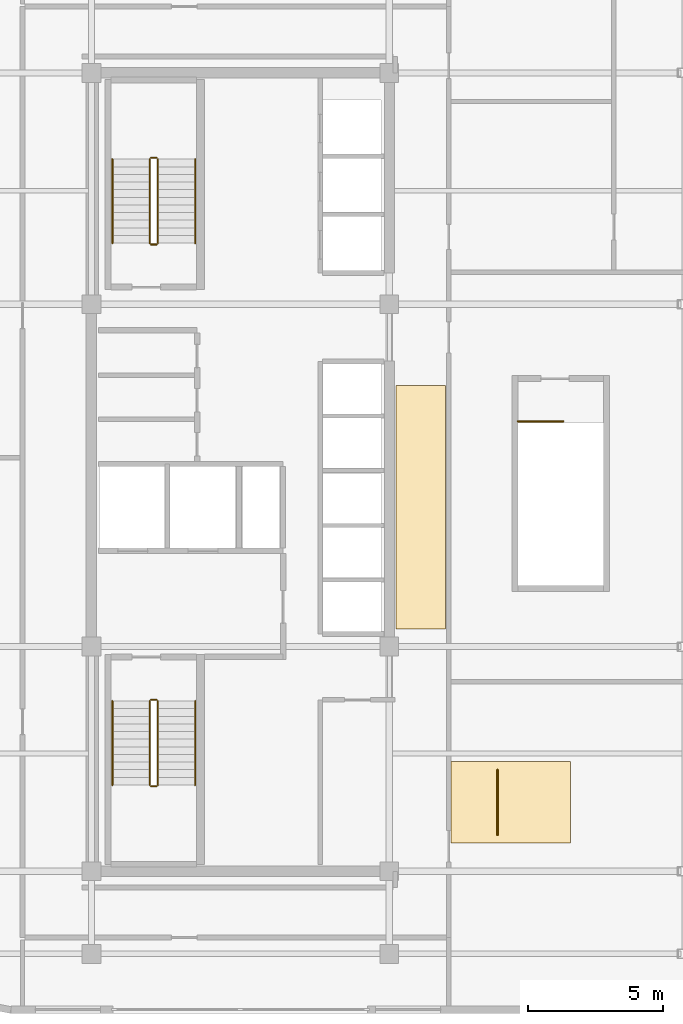
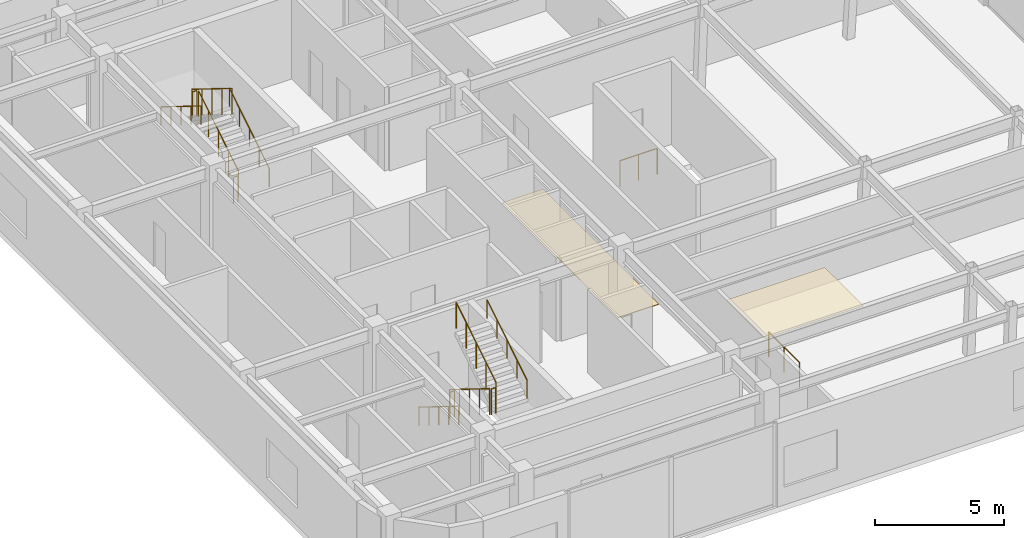
# One storey, part 10 of 10: 14 railings, 2 coverings.
"""IFC4 building model written with IfcOpenShell, lengths in metres."""

from ifc_helpers import new_model, si_unit, direction, frame, origin, origin_2d, place, context, subcontext, project, spatial, polyline, circle, outline, extrude, material, layer, layer_set, type_object, element, save


model = new_model("IFC4")

# Units and contexts
model_context = context("Model", 3, precision=1e-05, world=origin(), true_north=direction((0.0, 1.0)))
body_context = subcontext(model_context, "Body", "Model", "MODEL_VIEW")
ifc_project = project(units=[si_unit("LENGTHUNIT", "METRE"), si_unit("AREAUNIT", "SQUARE_METRE"), si_unit("VOLUMEUNIT", "CUBIC_METRE"), si_unit("PLANEANGLEUNIT", "RADIAN"), si_unit("MASSUNIT", "GRAM", prefix="KILO")], contexts=[model_context])

# Site, building, storey
site_placement = place(None, origin())
site = spatial("IfcSite", under=ifc_project, at=site_placement, CompositionType="ELEMENT")
building_placement = place(site_placement, origin())
building = spatial("IfcBuilding", under=site, at=building_placement, Name="Ochreholt Gables", CompositionType="ELEMENT")
storey_placement = place(building_placement, frame((0.0, 0.0, 173.39990234375)))
storey = spatial("IfcBuildingStorey", under=building, at=storey_placement, Name="L45", CompositionType="ELEMENT", Elevation=173.39990234375)

# Coverings
ifc_material_1 = material(Name="Mineral Fibre Acoustic Ceiling Tile", Category="gypsum")
ifc_layer_1 = layer(ifc_material_1, 0.034912109375, Name="Mineral Fibre Acoustic Ceiling Tile")
ifc_layer_set_1 = layer_set([ifc_layer_1], Name="Mineral Fibre Acoustic Ceiling Tile")
covering_type_1 = type_object("IfcCoveringType", Name="COV-CEIL-AC", PredefinedType="CEILING", material=ifc_layer_set_1)
covering_1_placement = place(storey_placement, frame((0.0, 0.0, 3.080078125)))
element("IfcCovering", 1, at=covering_1_placement, inside=storey, type_object=covering_type_1, Name="L45 Suspended Acoustic Ceiling", PredefinedType="CEILING", context=body_context, shape_type="SweptSolid", body=[
    extrude(outline(polyline([(37.489990234375, 10.300048828125), (41.889892578125, 10.300048828125), (41.889892578125, 13.300048828125), (37.489990234375, 13.300048828125), (37.489990234375, 10.300048828125)])), origin(), (0.0, 0.0, 1.0), 0.034912109375),
])
ifc_material_2 = material(Name="Acoustic Resilient Timber Flooring", Category="wood")
ifc_layer_2 = layer(ifc_material_2, 0.02001953125, Name="Acoustic Resilient Timber Flooring")
ifc_layer_set_2 = layer_set([ifc_layer_2], Name="Acoustic Resilient Timber Flooring")
covering_type_2 = type_object("IfcCoveringType", Name="COV-FLR-RES", PredefinedType="FLOORING", material=ifc_layer_set_2)
covering_2_placement = place(storey_placement, origin())
element("IfcCovering", 2, at=covering_2_placement, inside=storey, type_object=covering_type_2, Name="L45 Floor Finish", PredefinedType="FLOORING", context=body_context, shape_type="SweptSolid", body=[
    extrude(outline(polyline([(35.449951171875, 18.199951171875), (37.280029296875, 18.199951171875), (37.280029296875, 27.199951171875), (35.449951171875, 27.199951171875), (35.449951171875, 18.199951171875)])), origin(), (0.0, 0.0, 1.0), 0.02001953125),
])

# Railings
ifc_material_3 = material(Name="Laminated Glass and Bronze Interior Balustrade", Category="glass")
railing_type_1 = type_object("IfcRailingType", Name="RL-INT-BAL", PredefinedType="BALUSTRADE", material=ifc_material_3)
railing_1_placement = place(storey_placement, frame((39.199951171875, 10.60009765625, 0.0)))
element("IfcRailing", 3, at=railing_1_placement, inside=storey, type_object=railing_type_1, Name="L45 Gallery Balustrade", PredefinedType="BALUSTRADE", context=body_context, shape_type="SweptSolid", body=[
    extrude(circle(Radius=0.02392578125, at=origin_2d()), frame((0.0, 0.0, 1.17578125), z_axis=(0.0, 1.0, 0.0), x_axis=(-1.0, 0.0, 0.0)), (0.0, 0.0, 1.0), 2.39990234375),
    extrude(circle(Radius=0.02099609375, at=origin_2d()), origin(), (0.0, 0.0, 1.0), 1.15185546875),
    extrude(circle(Radius=0.02099609375, at=origin_2d()), frame((0.0, 1.199951171875, 0.0)), (0.0, 0.0, 1.0), 1.15185546875),
    extrude(circle(Radius=0.02099609375, at=origin_2d()), frame((0.0, 2.39990234375, 0.0)), (0.0, 0.0, 1.0), 1.15185546875),
])
ifc_material_4 = material(Name="Painted Steel Stair Guardrail", Category="steel")
railing_type_2 = type_object("IfcRailingType", Name="RL-ST-GUARD", PredefinedType="GUARDRAIL", material=ifc_material_4)
railing_2_placement = place(storey_placement, frame((26.35009765625, 15.5400390625, 0.175048828125)))
element("IfcRailing", 4, at=railing_2_placement, inside=storey, type_object=railing_type_2, Name="L45 ST-1 stair guard 1", PredefinedType="GUARDRAIL", context=body_context, shape_type="SweptSolid", body=[
    extrude(circle(Radius=0.02392578125, at=origin_2d()), frame((0.0, 0.0, 1.22607421875), z_axis=(0.0, -0.849684591916, 0.527291280281), x_axis=(1.0, 0.0, 0.0)), (0.0, 0.0, 1.0), 3.65087890625),
    extrude(circle(Radius=0.02099609375, at=origin_2d()), origin(), (0.0, 0.0, 1.0), 1.201904296875),
    extrude(circle(Radius=0.02099609375, at=origin_2d()), frame((0.0, -0.775390625, 0.481201171875)), (0.0, 0.0, 1.0), 1.201904296875),
    extrude(circle(Radius=0.02099609375, at=origin_2d()), frame((0.0, -1.551025390625, 0.96240234375)), (0.0, 0.0, 1.0), 1.201904296875),
    extrude(circle(Radius=0.02099609375, at=origin_2d()), frame((0.0, -2.32666015625, 1.44384765625)), (0.0, 0.0, 1.0), 1.201904296875),
    extrude(circle(Radius=0.02099609375, at=origin_2d()), frame((0.0, -3.10205078125, 1.925048828125)), (0.0, 0.0, 1.0), 1.201904296875),
])
railing_3_placement = place(storey_placement, frame((26.39990234375, 12.387939453125, 2.10009765625)))
element("IfcRailing", 5, at=railing_3_placement, inside=storey, type_object=railing_type_2, Name="L45 ST-1 stair guard 2", PredefinedType="GUARDRAIL", context=body_context, shape_type="SweptSolid", body=[
    extrude(circle(Radius=0.02392578125, at=origin_2d()), frame((0.0, 0.0, 1.22607421875), z_axis=(1.0, 0.0, 0.0), x_axis=(0.0, 1.0, 0.0)), (0.0, 0.0, 1.0), 0.2001953125),
    extrude(circle(Radius=0.02099609375, at=origin_2d()), origin(), (0.0, 0.0, 1.0), 1.201904296875),
    extrude(circle(Radius=0.02099609375, at=origin_2d()), frame((0.2001953125, 0.0, 0.0)), (0.0, 0.0, 1.0), 1.201904296875),
])
railing_4_placement = place(storey_placement, frame((26.64990234375, 12.43798828125, 2.275146484375)))
element("IfcRailing", 6, at=railing_4_placement, inside=storey, type_object=railing_type_2, Name="L45 ST-1 stair guard 3", PredefinedType="GUARDRAIL", context=body_context, shape_type="SweptSolid", body=[
    extrude(circle(Radius=0.02392578125, at=origin_2d()), frame((0.0, 0.0, 1.22607421875), z_axis=(0.0, 0.849684591916, 0.527291280281), x_axis=(-1.0, 0.0, 0.0)), (0.0, 0.0, 1.0), 3.65087890625),
    extrude(circle(Radius=0.02099609375, at=origin_2d()), origin(), (0.0, 0.0, 1.0), 1.201904296875),
    extrude(circle(Radius=0.02099609375, at=origin_2d()), frame((0.0, 0.775390625, 0.481201171875)), (0.0, 0.0, 1.0), 1.201904296875),
    extrude(circle(Radius=0.02099609375, at=origin_2d()), frame((0.0, 1.551025390625, 0.96240234375)), (0.0, 0.0, 1.0), 1.201904296875),
    extrude(circle(Radius=0.02099609375, at=origin_2d()), frame((0.0, 2.32666015625, 1.44384765625)), (0.0, 0.0, 1.0), 1.201904296875),
    extrude(circle(Radius=0.02099609375, at=origin_2d()), frame((0.0, 3.10205078125, 1.925048828125)), (0.0, 0.0, 1.0), 1.201904296875),
])
railing_5_placement = place(storey_placement, frame((26.39990234375, 15.590087890625, 0.0)))
element("IfcRailing", 7, at=railing_5_placement, inside=storey, type_object=railing_type_2, Name="L45 ST-1 stair guard 4", PredefinedType="GUARDRAIL", context=body_context, shape_type="SweptSolid", body=[
    extrude(circle(Radius=0.02392578125, at=origin_2d()), frame((0.0, 0.0, 1.22607421875), z_axis=(1.0, 0.0, 0.0), x_axis=(0.0, 1.0, 0.0)), (0.0, 0.0, 1.0), 0.2001953125),
    extrude(circle(Radius=0.02099609375, at=origin_2d()), origin(), (0.0, 0.0, 1.0), 1.201904296875),
    extrude(circle(Radius=0.02099609375, at=origin_2d()), frame((0.2001953125, 0.0, 0.0)), (0.0, 0.0, 1.0), 1.201904296875),
])
railing_6_placement = place(storey_placement, frame((26.64990234375, 32.4599609375, 0.175048828125)))
element("IfcRailing", 8, at=railing_6_placement, inside=storey, type_object=railing_type_2, Name="L45 ST-2 stair guard 1", PredefinedType="GUARDRAIL", context=body_context, shape_type="SweptSolid", body=[
    extrude(circle(Radius=0.02392578125, at=origin_2d()), frame((0.0, 0.0, 1.22607421875), z_axis=(0.0, 0.849684591916, 0.527291280281), x_axis=(-1.0, 0.0, 0.0)), (0.0, 0.0, 1.0), 3.65087890625),
    extrude(circle(Radius=0.02099609375, at=origin_2d()), origin(), (0.0, 0.0, 1.0), 1.201904296875),
    extrude(circle(Radius=0.02099609375, at=origin_2d()), frame((0.0, 0.775390625, 0.481201171875)), (0.0, 0.0, 1.0), 1.201904296875),
    extrude(circle(Radius=0.02099609375, at=origin_2d()), frame((0.0, 1.551025390625, 0.96240234375)), (0.0, 0.0, 1.0), 1.201904296875),
    extrude(circle(Radius=0.02099609375, at=origin_2d()), frame((0.0, 2.32666015625, 1.44384765625)), (0.0, 0.0, 1.0), 1.201904296875),
    extrude(circle(Radius=0.02099609375, at=origin_2d()), frame((0.0, 3.10205078125, 1.925048828125)), (0.0, 0.0, 1.0), 1.201904296875),
])
railing_7_placement = place(storey_placement, frame((26.60009765625, 35.612060546875, 2.10009765625)))
element("IfcRailing", 9, at=railing_7_placement, inside=storey, type_object=railing_type_2, Name="L45 ST-2 stair guard 2", PredefinedType="GUARDRAIL", context=body_context, shape_type="SweptSolid", body=[
    extrude(circle(Radius=0.02392578125, at=origin_2d()), frame((0.0, 0.0, 1.22607421875), z_axis=(-1.0, 0.0, 0.0), x_axis=(0.0, -1.0, 0.0)), (0.0, 0.0, 1.0), 0.2001953125),
    extrude(circle(Radius=0.02099609375, at=origin_2d()), origin(), (0.0, 0.0, 1.0), 1.201904296875),
    extrude(circle(Radius=0.02099609375, at=origin_2d()), frame((-0.2001953125, 0.0, 0.0)), (0.0, 0.0, 1.0), 1.201904296875),
])
railing_8_placement = place(storey_placement, frame((26.35009765625, 35.56201171875, 2.275146484375)))
element("IfcRailing", 10, at=railing_8_placement, inside=storey, type_object=railing_type_2, Name="L45 ST-2 stair guard 3", PredefinedType="GUARDRAIL", context=body_context, shape_type="SweptSolid", body=[
    extrude(circle(Radius=0.02392578125, at=origin_2d()), frame((0.0, 0.0, 1.22607421875), z_axis=(0.0, -0.849684591916, 0.527291280281), x_axis=(1.0, 0.0, 0.0)), (0.0, 0.0, 1.0), 3.65087890625),
    extrude(circle(Radius=0.02099609375, at=origin_2d()), origin(), (0.0, 0.0, 1.0), 1.201904296875),
    extrude(circle(Radius=0.02099609375, at=origin_2d()), frame((0.0, -0.775390625, 0.481201171875)), (0.0, 0.0, 1.0), 1.201904296875),
    extrude(circle(Radius=0.02099609375, at=origin_2d()), frame((0.0, -1.551025390625, 0.96240234375)), (0.0, 0.0, 1.0), 1.201904296875),
    extrude(circle(Radius=0.02099609375, at=origin_2d()), frame((0.0, -2.32666015625, 1.44384765625)), (0.0, 0.0, 1.0), 1.201904296875),
    extrude(circle(Radius=0.02099609375, at=origin_2d()), frame((0.0, -3.10205078125, 1.925048828125)), (0.0, 0.0, 1.0), 1.201904296875),
])
railing_9_placement = place(storey_placement, frame((26.60009765625, 32.409912109375, 0.0)))
element("IfcRailing", 11, at=railing_9_placement, inside=storey, type_object=railing_type_2, Name="L45 ST-2 stair guard 4", PredefinedType="GUARDRAIL", context=body_context, shape_type="SweptSolid", body=[
    extrude(circle(Radius=0.02392578125, at=origin_2d()), frame((0.0, 0.0, 1.22607421875), z_axis=(-1.0, 0.0, 0.0), x_axis=(0.0, -1.0, 0.0)), (0.0, 0.0, 1.0), 0.2001953125),
    extrude(circle(Radius=0.02099609375, at=origin_2d()), origin(), (0.0, 0.0, 1.0), 1.201904296875),
    extrude(circle(Radius=0.02099609375, at=origin_2d()), frame((-0.2001953125, 0.0, 0.0)), (0.0, 0.0, 1.0), 1.201904296875),
])
railing_10_placement = place(storey_placement, frame((39.949951171875, 25.8701171875, 0.0)))
element("IfcRailing", 12, at=railing_10_placement, inside=storey, type_object=railing_type_2, Name="L45 ST-C4 top well guard 1", PredefinedType="GUARDRAIL", context=body_context, shape_type="SweptSolid", body=[
    extrude(circle(Radius=0.02392578125, at=origin_2d()), frame((0.0, 0.0, 1.22607421875), z_axis=(1.0, 0.0, 0.0), x_axis=(0.0, 1.0, 0.0)), (0.0, 0.0, 1.0), 1.679931640625),
    extrude(circle(Radius=0.02099609375, at=origin_2d()), origin(), (0.0, 0.0, 1.0), 1.201904296875),
    extrude(circle(Radius=0.02099609375, at=origin_2d()), frame((0.83984375, 0.0, 0.0)), (0.0, 0.0, 1.0), 1.201904296875),
    extrude(circle(Radius=0.02099609375, at=origin_2d()), frame((1.679931640625, 0.0, 0.0)), (0.0, 0.0, 1.0), 1.201904296875),
])
ifc_material_5 = material(Name="Brushed Stainless Steel Wall Handrail", Category="steel")
railing_type_3 = type_object("IfcRailingType", Name="RL-ST-HAND", PredefinedType="HANDRAIL", material=ifc_material_5)
railing_11_placement = place(storey_placement, frame((24.969970703125, 15.5400390625, 0.175048828125)))
element("IfcRailing", 13, at=railing_11_placement, inside=storey, type_object=railing_type_3, Name="L45 ST-1 stair handrail 1", PredefinedType="HANDRAIL", context=body_context, shape_type="SweptSolid", body=[
    extrude(circle(Radius=0.02392578125, at=origin_2d()), frame((0.0, 0.0, 0.8759765625), z_axis=(0.0, -0.849684591916, 0.527291280281), x_axis=(1.0, 0.0, 0.0)), (0.0, 0.0, 1.0), 3.65087890625),
    extrude(circle(Radius=0.02099609375, at=origin_2d()), origin(), (0.0, 0.0, 1.0), 0.851806640625),
    extrude(circle(Radius=0.02099609375, at=origin_2d()), frame((0.0, -0.775390625, 0.481201171875)), (0.0, 0.0, 1.0), 0.851806640625),
    extrude(circle(Radius=0.02099609375, at=origin_2d()), frame((0.0, -1.551025390625, 0.96240234375)), (0.0, 0.0, 1.0), 0.851806640625),
    extrude(circle(Radius=0.02099609375, at=origin_2d()), frame((0.0, -2.32666015625, 1.44384765625)), (0.0, 0.0, 1.0), 0.851806640625),
    extrude(circle(Radius=0.02099609375, at=origin_2d()), frame((0.0, -3.10205078125, 1.925048828125)), (0.0, 0.0, 1.0), 0.851806640625),
])
for number, where, name in (
    (14, (28.030029296875, 12.43798828125, 2.275146484375), "L45 ST-1 stair handrail 2"),
    (15, (28.030029296875, 32.4599609375, 0.175048828125), "L45 ST-2 stair handrail 1"),
):
    element("IfcRailing", number, at=place(storey_placement, frame(where)), inside=storey, type_object=railing_type_3, Name=name, PredefinedType="HANDRAIL", context=body_context, shape_type="SweptSolid", body=[
        extrude(circle(Radius=0.02392578125, at=origin_2d()), frame((0.0, 0.0, 0.8759765625), z_axis=(0.0, 0.849684591916, 0.527291280281), x_axis=(-1.0, 0.0, 0.0)), (0.0, 0.0, 1.0), 3.65087890625),
        extrude(circle(Radius=0.02099609375, at=origin_2d()), origin(), (0.0, 0.0, 1.0), 0.851806640625),
        extrude(circle(Radius=0.02099609375, at=origin_2d()), frame((0.0, 0.775390625, 0.481201171875)), (0.0, 0.0, 1.0), 0.851806640625),
        extrude(circle(Radius=0.02099609375, at=origin_2d()), frame((0.0, 1.551025390625, 0.96240234375)), (0.0, 0.0, 1.0), 0.851806640625),
        extrude(circle(Radius=0.02099609375, at=origin_2d()), frame((0.0, 2.32666015625, 1.44384765625)), (0.0, 0.0, 1.0), 0.851806640625),
        extrude(circle(Radius=0.02099609375, at=origin_2d()), frame((0.0, 3.10205078125, 1.925048828125)), (0.0, 0.0, 1.0), 0.851806640625),
    ])
railing_12_placement = place(storey_placement, frame((24.969970703125, 35.56201171875, 2.275146484375)))
element("IfcRailing", 16, at=railing_12_placement, inside=storey, type_object=railing_type_3, Name="L45 ST-2 stair handrail 2", PredefinedType="HANDRAIL", context=body_context, shape_type="SweptSolid", body=[
    extrude(circle(Radius=0.02392578125, at=origin_2d()), frame((0.0, 0.0, 0.8759765625), z_axis=(0.0, -0.849684591916, 0.527291280281), x_axis=(1.0, 0.0, 0.0)), (0.0, 0.0, 1.0), 3.65087890625),
    extrude(circle(Radius=0.02099609375, at=origin_2d()), origin(), (0.0, 0.0, 1.0), 0.851806640625),
    extrude(circle(Radius=0.02099609375, at=origin_2d()), frame((0.0, -0.775390625, 0.481201171875)), (0.0, 0.0, 1.0), 0.851806640625),
    extrude(circle(Radius=0.02099609375, at=origin_2d()), frame((0.0, -1.551025390625, 0.96240234375)), (0.0, 0.0, 1.0), 0.851806640625),
    extrude(circle(Radius=0.02099609375, at=origin_2d()), frame((0.0, -2.32666015625, 1.44384765625)), (0.0, 0.0, 1.0), 0.851806640625),
    extrude(circle(Radius=0.02099609375, at=origin_2d()), frame((0.0, -3.10205078125, 1.925048828125)), (0.0, 0.0, 1.0), 0.851806640625),
])

save(model, "model.ifc")
